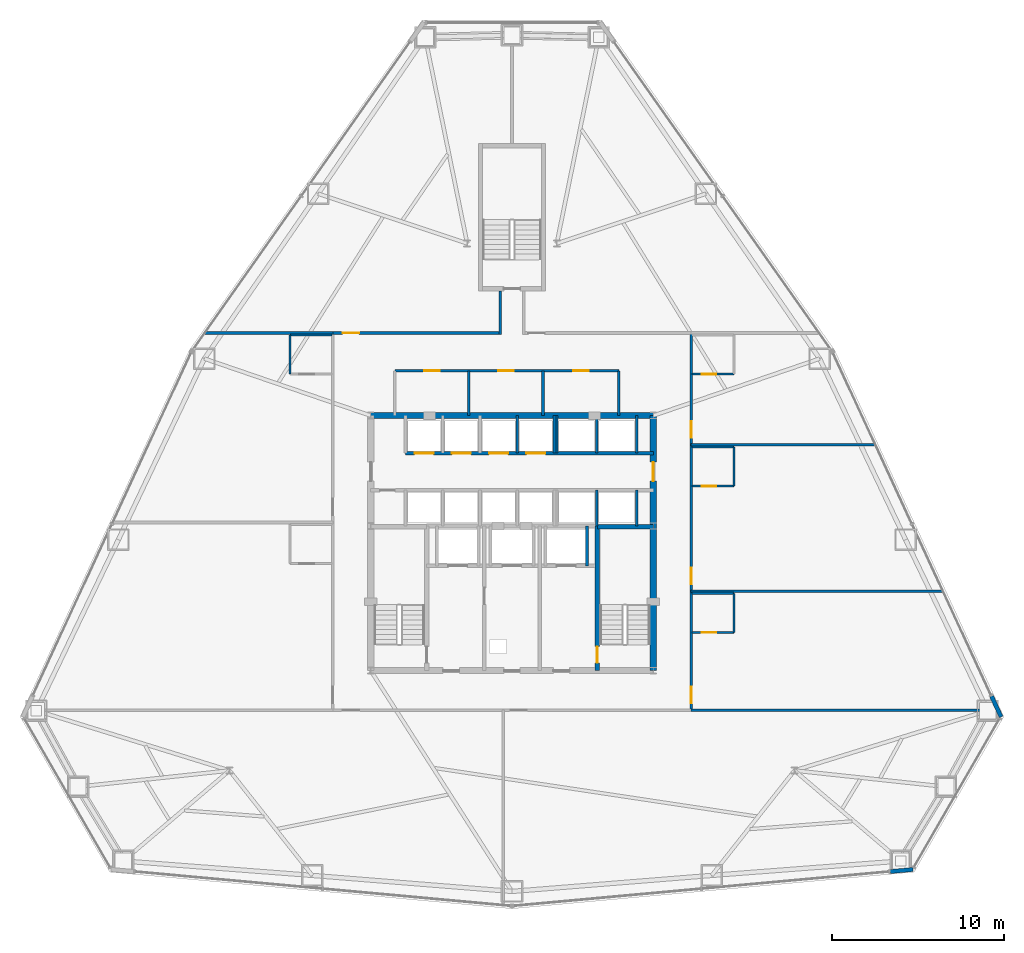
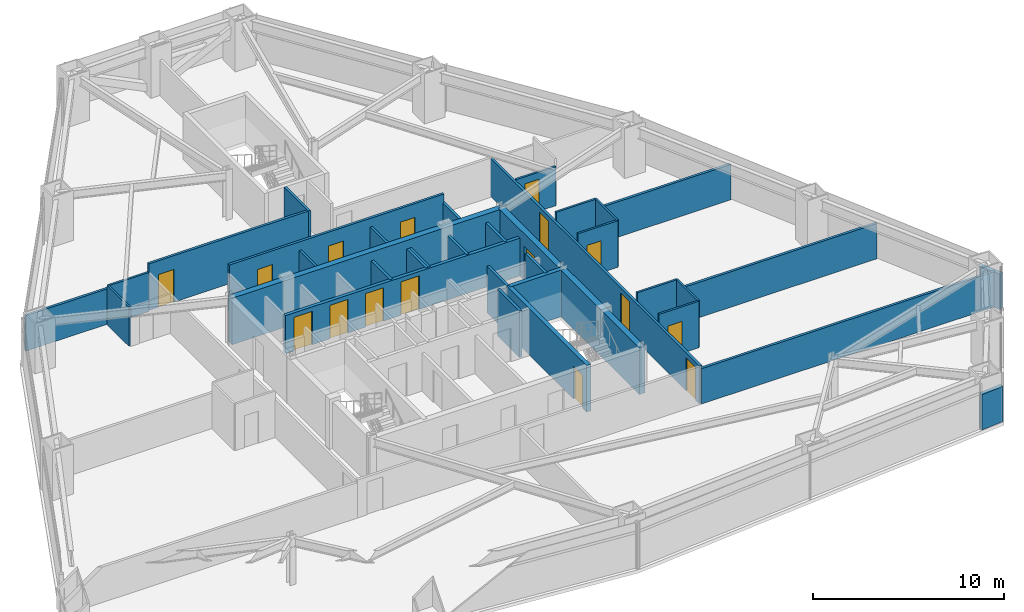
# One storey, part 10 of 12: 35 walls, 16 doors, 16 openings.
"""IFC4 building model written with IfcOpenShell, lengths in metres."""

from ifc_helpers import new_model, si_unit, direction, frame, frame_2d, origin, place, context, subcontext, project, spatial, rectangle, extrude, material, layer, layer_set, type_object, element, fill, save


model = new_model("IFC4")

# Units and contexts
model_context = context("Model", 3, precision=1e-05, world=origin(), true_north=direction((0.0, 1.0)))
body_context = subcontext(model_context, "Body", "Model", "MODEL_VIEW")
ifc_project = project(units=[si_unit("LENGTHUNIT", "METRE"), si_unit("AREAUNIT", "SQUARE_METRE"), si_unit("VOLUMEUNIT", "CUBIC_METRE"), si_unit("PLANEANGLEUNIT", "RADIAN"), si_unit("MASSUNIT", "GRAM", prefix="KILO")], contexts=[model_context])

# Site, building, storey
site_placement = place(None, origin())
site = spatial("IfcSite", under=ifc_project, at=site_placement, CompositionType="ELEMENT")
building_placement = place(site_placement, origin())
building = spatial("IfcBuilding", under=site, at=building_placement, Name="Varakhsha Concourse Tower", CompositionType="ELEMENT")
storey_placement = place(building_placement, frame((0.0, 0.0, 36.800048828125)))
storey = spatial("IfcBuildingStorey", under=building, at=storey_placement, Name="L09", CompositionType="ELEMENT", Elevation=36.800048828125)

# Wall
ifc_material_1 = material(Name="Concrete fc 65 MPa", Category="concrete")
ifc_layer_1 = layer(ifc_material_1, 0.35009765625, Name="WL-CORE-350")
ifc_layer_set_1 = layer_set([ifc_layer_1], Name="Concrete fc 65 MPa")
wall_type_1 = type_object("IfcWallType", Name="WL-CORE-350", PredefinedType="SHEAR", material=ifc_layer_set_1)
wall_1_placement = place(storey_placement, frame((31.800048828125, 31.199951171875, 0.0), z_axis=(0.0, 0.0, 1.0), x_axis=(1.0, 0.0, 0.0)))
element("IfcWall", 1, at=wall_1_placement, inside=storey, type_object=wall_type_1, Name="L09 Wall CWALL-N-L09", PredefinedType="SHEAR", context=body_context, shape_type="SweptSolid", body=[
    extrude(rectangle(XDim=16.39990234375, YDim=0.35009765625, at=frame_2d((8.199951171875, 0.0))), origin(), (0.0, 0.0, 1.0), 2.97998046875),
])

# Wall, opening, door
wall_2_placement = place(storey_placement, frame((48.199951171875, 16.39990234375, 0.0), z_axis=(0.0, 0.0, 1.0), x_axis=(0.0, 1.0, 0.0)))
wall_2 = element("IfcWall", 2, at=wall_2_placement, inside=storey, type_object=wall_type_1, Name="L09 Wall CWALL-E-L09", PredefinedType="SHEAR", context=body_context, shape_type="SweptSolid", body=[
    extrude(rectangle(XDim=14.800048828125, YDim=0.35009765625, at=frame_2d((7.39990234375, 0.0))), origin(), (0.0, 0.0, 1.0), 2.97998046875),
])
opening_1_placement = place(wall_2_placement, frame((11.0, 0.0, 0.0)))
opening_1 = element("IfcOpeningElement", 3, at=opening_1_placement, cuts=wall_2, Name="Opening DL-01", PredefinedType="OPENING", context=body_context, shape_type="SweptSolid", body=[
    extrude(rectangle(XDim=1.10009765625, YDim=2.14990234375, at=frame_2d((0.550048828125, 1.074951171875))), frame((0.0, 0.18505859375, 0.0), z_axis=(0.0, -1.0, 0.0), x_axis=(1.0, 0.0, 0.0)), (0.0, 0.0, 1.0), 0.3701171875),
])
ifc_material_2 = material(Name="Anodised Bronze Architectural Aluminium AA 6063-T6", Category="aluminium")
door_type_1 = type_object("IfcDoorType", Name="DR-LOB-1100", OperationType="NOTDEFINED", PredefinedType="DOOR", material=ifc_material_2)
door_1_placement = place(opening_1_placement, origin())
door_1 = element("IfcDoor", 4, at=door_1_placement, inside=storey, type_object=door_type_1, Name="L09 Lift Lobby East Concourse Door", OperationType="SINGLE_SWING_RIGHT", OverallHeight=2.14990234375, OverallWidth=1.10009765625, PredefinedType="DOOR", context=body_context, shape_type="SweptSolid", body=[
    extrude(rectangle(XDim=1.10009765625, YDim=2.14990234375, at=frame_2d((0.550048828125, 1.074951171875))), frame((0.0, 0.02490234375, 0.0), z_axis=(0.0, -1.0, 0.0), x_axis=(1.0, 0.0, 0.0)), (0.0, 0.0, 1.0), 0.050048828125),
])
fill(opening_1, door_1)

# Walls
ifc_material_3 = material(Name="Concrete fc 45 MPa", Category="concrete")
ifc_layer_2 = layer(ifc_material_3, 0.239990234375, Name="WL-EXT-CRN-240")
ifc_layer_set_2 = layer_set([ifc_layer_2], Name="Concrete fc 45 MPa")
wall_type_2 = type_object("IfcWallType", Name="WL-EXT-CRN-240", PredefinedType="SHEAR", material=ifc_layer_set_2)
for number, where, z_axis, x_axis, name in (
    (5, (61.955078125, 4.73388671875, 0.0), (0.0, 0.0, 1.0), (0.995872137329, 0.090767208245, 0.0), "L09 Wind-Corner Shoulder Wall F6"),
    (6, (68.39404296875, 13.710693359375, 0.0), (0.0, 0.0, 1.0), (-0.419348851808, 0.907825170662, 0.0), "L09 Wind-Corner Shoulder Wall F8"),
):
    element("IfcWall", number, at=place(storey_placement, frame(where, z_axis=z_axis, x_axis=x_axis)), inside=storey, type_object=wall_type_2, Name=name, PredefinedType="SHEAR", context=body_context, shape_type="SweptSolid", body=[
        extrude(rectangle(XDim=1.33154296875, YDim=0.239990234375, at=frame_2d((0.665771484375, 0.0))), origin(), (0.0, 0.0, 1.0), 2.262939453125),
    ])
ifc_material_4 = material(Name="Acoustic Gypsum Board Partition Assembly", Category="gypsum")
ifc_layer_3 = layer(ifc_material_4, 0.1201171875, Name="WL-PART-120")
ifc_layer_set_3 = layer_set([ifc_layer_3], Name="Acoustic Gypsum Board Partition Assembly")
wall_type_3 = type_object("IfcWallType", Name="WL-PART-120", PredefinedType="PARTITIONING", material=ifc_layer_set_3)
wall_3_placement = place(storey_placement, frame((27.110107421875, 33.610107421875, 0.0), z_axis=(0.0, 0.0, 1.0), x_axis=(0.0, 1.0, 0.0)))
element("IfcWall", 7, at=wall_3_placement, inside=storey, type_object=wall_type_3, Name="L09 Wall ENSW-W-L09-H04", PredefinedType="PARTITIONING", context=body_context, shape_type="SweptSolid", body=[
    extrude(rectangle(XDim=2.27978515625, YDim=0.1201171875, at=frame_2d((1.139892578125, 0.0))), origin(), (0.0, 0.0, 1.0), 2.512939453125),
])
wall_4_placement = place(storey_placement, frame((27.110107421875, 35.889892578125, 0.0), z_axis=(0.0, 0.0, 1.0), x_axis=(1.0, 0.0, 0.0)))
element("IfcWall", 8, at=wall_4_placement, inside=storey, type_object=wall_type_3, Name="L09 Wall ENSW-N-L09-H04", PredefinedType="PARTITIONING", context=body_context, shape_type="SweptSolid", body=[
    extrude(rectangle(XDim=2.429931640625, YDim=0.1201171875, at=frame_2d((1.21484375, 0.0))), origin(), (0.0, 0.0, 1.0), 2.512939453125),
])
wall_5_placement = place(storey_placement, frame((52.889892578125, 18.610107421875, 0.0), z_axis=(0.0, 0.0, 1.0), x_axis=(0.0, 1.0, 0.0)))
element("IfcWall", 9, at=wall_5_placement, inside=storey, type_object=wall_type_3, Name="L09 Wall ENSW-E-L09-H05", PredefinedType="PARTITIONING", context=body_context, shape_type="SweptSolid", body=[
    extrude(rectangle(XDim=2.27978515625, YDim=0.1201171875, at=frame_2d((1.139892578125, 0.0))), origin(), (0.0, 0.0, 1.0), 2.97998046875),
])

# Wall, opening, door
wall_6_placement = place(storey_placement, frame((50.4599609375, 18.610107421875, 0.0), z_axis=(0.0, 0.0, 1.0), x_axis=(1.0, 0.0, 0.0)))
wall_6 = element("IfcWall", 10, at=wall_6_placement, inside=storey, type_object=wall_type_3, Name="L09 Wall ENSW-S-L09-H05", PredefinedType="PARTITIONING", context=body_context, shape_type="SweptSolid", body=[
    extrude(rectangle(XDim=2.429931640625, YDim=0.1201171875, at=frame_2d((1.21484375, 0.0))), origin(), (0.0, 0.0, 1.0), 2.97998046875),
])
opening_2_placement = place(wall_6_placement, frame((0.550048828125, 0.0, 0.0)))
opening_2 = element("IfcOpeningElement", 11, at=opening_2_placement, cuts=wall_6, Name="Opening DI-01", PredefinedType="OPENING", context=body_context, shape_type="SweptSolid", body=[
    extrude(rectangle(XDim=0.85009765625, YDim=2.050048828125, at=frame_2d((0.425048828125, 1.02490234375))), frame((0.0, 0.070068359375, 0.0), z_axis=(0.0, -1.0, 0.0), x_axis=(1.0, 0.0, 0.0)), (0.0, 0.0, 1.0), 0.14013671875),
])
ifc_material_5 = material(Name="Architectural Walnut Acoustic Timber Door", Category="wood")
door_type_2 = type_object("IfcDoorType", Name="DR-INT-850", OperationType="NOTDEFINED", PredefinedType="DOOR", material=ifc_material_5)
door_2_placement = place(opening_2_placement, origin())
door_2 = element("IfcDoor", 12, at=door_2_placement, inside=storey, type_object=door_type_2, Name="L09 En-suite Bathroom Door L09-H05", OperationType="SINGLE_SWING_RIGHT", OverallHeight=2.050048828125, OverallWidth=0.85009765625, PredefinedType="DOOR", context=body_context, shape_type="SweptSolid", body=[
    extrude(rectangle(XDim=0.85009765625, YDim=2.050048828125, at=frame_2d((0.425048828125, 1.02490234375))), frame((0.0, 0.02490234375, 0.0), z_axis=(0.0, -1.0, 0.0), x_axis=(1.0, 0.0, 0.0)), (0.0, 0.0, 1.0), 0.050048828125),
])
fill(opening_2, door_2)

# Walls
wall_7_placement = place(storey_placement, frame((50.4599609375, 20.889892578125, 0.0), z_axis=(0.0, 0.0, 1.0), x_axis=(1.0, 0.0, 0.0)))
element("IfcWall", 13, at=wall_7_placement, inside=storey, type_object=wall_type_3, Name="L09 Wall ENSW-N-L09-H05", PredefinedType="PARTITIONING", context=body_context, shape_type="SweptSolid", body=[
    extrude(rectangle(XDim=2.429931640625, YDim=0.1201171875, at=frame_2d((1.21484375, 0.0))), origin(), (0.0, 0.0, 1.0), 2.97998046875),
])
wall_8_placement = place(storey_placement, frame((52.889892578125, 27.110107421875, 0.0), z_axis=(0.0, 0.0, 1.0), x_axis=(0.0, 1.0, 0.0)))
element("IfcWall", 14, at=wall_8_placement, inside=storey, type_object=wall_type_3, Name="L09 Wall ENSW-E-L09-H06", PredefinedType="PARTITIONING", context=body_context, shape_type="SweptSolid", body=[
    extrude(rectangle(XDim=2.27978515625, YDim=0.1201171875, at=frame_2d((1.139892578125, 0.0))), origin(), (0.0, 0.0, 1.0), 2.97998046875),
])

# Wall, opening, door
wall_9_placement = place(storey_placement, frame((50.4599609375, 27.110107421875, 0.0), z_axis=(0.0, 0.0, 1.0), x_axis=(1.0, 0.0, 0.0)))
wall_9 = element("IfcWall", 15, at=wall_9_placement, inside=storey, type_object=wall_type_3, Name="L09 Wall ENSW-S-L09-H06", PredefinedType="PARTITIONING", context=body_context, shape_type="SweptSolid", body=[
    extrude(rectangle(XDim=2.429931640625, YDim=0.1201171875, at=frame_2d((1.21484375, 0.0))), origin(), (0.0, 0.0, 1.0), 2.97998046875),
])
opening_3_placement = place(wall_9_placement, frame((0.550048828125, 0.0, 0.0)))
opening_3 = element("IfcOpeningElement", 16, at=opening_3_placement, cuts=wall_9, Name="Opening DI-01", PredefinedType="OPENING", context=body_context, shape_type="SweptSolid", body=[
    extrude(rectangle(XDim=0.85009765625, YDim=2.050048828125, at=frame_2d((0.425048828125, 1.02490234375))), frame((0.0, 0.070068359375, 0.0), z_axis=(0.0, -1.0, 0.0), x_axis=(1.0, 0.0, 0.0)), (0.0, 0.0, 1.0), 0.14013671875),
])
door_3_placement = place(opening_3_placement, origin())
door_3 = element("IfcDoor", 17, at=door_3_placement, inside=storey, type_object=door_type_2, Name="L09 En-suite Bathroom Door L09-H06", OperationType="SINGLE_SWING_RIGHT", OverallHeight=2.050048828125, OverallWidth=0.85009765625, PredefinedType="DOOR", context=body_context, shape_type="SweptSolid", body=[
    extrude(rectangle(XDim=0.85009765625, YDim=2.050048828125, at=frame_2d((0.425048828125, 1.02490234375))), frame((0.0, 0.02490234375, 0.0), z_axis=(0.0, -1.0, 0.0), x_axis=(1.0, 0.0, 0.0)), (0.0, 0.0, 1.0), 0.050048828125),
])
fill(opening_3, door_3)

# Wall
wall_10_placement = place(storey_placement, frame((50.4599609375, 29.389892578125, 0.0), z_axis=(0.0, 0.0, 1.0), x_axis=(1.0, 0.0, 0.0)))
element("IfcWall", 18, at=wall_10_placement, inside=storey, type_object=wall_type_3, Name="L09 Wall ENSW-N-L09-H06", PredefinedType="PARTITIONING", context=body_context, shape_type="SweptSolid", body=[
    extrude(rectangle(XDim=2.429931640625, YDim=0.1201171875, at=frame_2d((1.21484375, 0.0))), origin(), (0.0, 0.0, 1.0), 2.97998046875),
])

# Wall, opening, door
wall_11_placement = place(storey_placement, frame((50.4599609375, 33.610107421875, 0.0), z_axis=(0.0, 0.0, 1.0), x_axis=(1.0, 0.0, 0.0)))
wall_11 = element("IfcWall", 19, at=wall_11_placement, inside=storey, type_object=wall_type_3, Name="L09 Wall ENSW-S-L09-H07", PredefinedType="PARTITIONING", context=body_context, shape_type="SweptSolid", body=[
    extrude(rectangle(XDim=2.429931640625, YDim=0.1201171875, at=frame_2d((1.21484375, 0.0))), origin(), (0.0, 0.0, 1.0), 2.512939453125),
])
opening_4_placement = place(wall_11_placement, frame((0.550048828125, 0.0, 0.0)))
opening_4 = element("IfcOpeningElement", 20, at=opening_4_placement, cuts=wall_11, Name="Opening DI-01", PredefinedType="OPENING", context=body_context, shape_type="SweptSolid", body=[
    extrude(rectangle(XDim=0.85009765625, YDim=2.050048828125, at=frame_2d((0.425048828125, 1.02490234375))), frame((0.0, 0.070068359375, 0.0), z_axis=(0.0, -1.0, 0.0), x_axis=(1.0, 0.0, 0.0)), (0.0, 0.0, 1.0), 0.14013671875),
])
door_4_placement = place(opening_4_placement, origin())
door_4 = element("IfcDoor", 21, at=door_4_placement, inside=storey, type_object=door_type_2, Name="L09 En-suite Bathroom Door L09-H07", OperationType="SINGLE_SWING_RIGHT", OverallHeight=2.050048828125, OverallWidth=0.85009765625, PredefinedType="DOOR", context=body_context, shape_type="SweptSolid", body=[
    extrude(rectangle(XDim=0.85009765625, YDim=2.050048828125, at=frame_2d((0.425048828125, 1.02490234375))), frame((0.0, 0.02490234375, 0.0), z_axis=(0.0, -1.0, 0.0), x_axis=(1.0, 0.0, 0.0)), (0.0, 0.0, 1.0), 0.050048828125),
])
fill(opening_4, door_4)

# Wall, openings, doors
ifc_material_6 = material(Name="Fire-Rated Type X Gypsum Partition Assembly", Category="gypsum")
ifc_layer_4 = layer(ifc_material_6, 0.14990234375, Name="WL-PART-150")
ifc_layer_set_4 = layer_set([ifc_layer_4], Name="Fire-Rated Type X Gypsum Partition Assembly")
wall_type_4 = type_object("IfcWallType", Name="WL-PART-150", PredefinedType="PARTITIONING", material=ifc_layer_set_4)
wall_12_placement = place(storey_placement, frame((33.199951171875, 33.800048828125, 0.0), z_axis=(0.0, 0.0, 1.0), x_axis=(1.0, 0.0, 0.0)))
wall_12 = element("IfcWall", 22, at=wall_12_placement, inside=storey, type_object=wall_type_4, Name="L09 Wall NBOH-N-L09", PredefinedType="PARTITIONING", context=body_context, shape_type="SweptSolid", body=[
    extrude(rectangle(XDim=13.0, YDim=0.14990234375, at=frame_2d((6.5, 0.0))), origin(), (0.0, 0.0, 1.0), 2.97998046875),
])
opening_5_placement = place(wall_12_placement, frame((1.699951171875, 0.0, 0.0)))
opening_5 = element("IfcOpeningElement", 23, at=opening_5_placement, cuts=wall_12, Name="Opening DF-06", PredefinedType="OPENING", context=body_context, shape_type="SweptSolid", body=[
    extrude(rectangle(XDim=0.89990234375, YDim=2.10009765625, at=frame_2d((0.449951171875, 1.050048828125))), frame((0.0, 0.0849609375, 0.0), z_axis=(0.0, -1.0, 0.0), x_axis=(1.0, 0.0, 0.0)), (0.0, 0.0, 1.0), 0.169921875),
])
opening_6_placement = place(wall_12_placement, frame((6.0, 0.0, 0.0)))
opening_6 = element("IfcOpeningElement", 24, at=opening_6_placement, cuts=wall_12, Name="Opening DF-06", PredefinedType="OPENING", context=body_context, shape_type="SweptSolid", body=[
    extrude(rectangle(XDim=0.89990234375, YDim=2.10009765625, at=frame_2d((0.449951171875, 1.050048828125))), frame((0.0, 0.0849609375, 0.0), z_axis=(0.0, -1.0, 0.0), x_axis=(1.0, 0.0, 0.0)), (0.0, 0.0, 1.0), 0.169921875),
])
opening_7_placement = place(wall_12_placement, frame((10.35009765625, 0.0, 0.0)))
opening_7 = element("IfcOpeningElement", 25, at=opening_7_placement, cuts=wall_12, Name="Opening DF-06", PredefinedType="OPENING", context=body_context, shape_type="SweptSolid", body=[
    extrude(rectangle(XDim=0.89990234375, YDim=2.10009765625, at=frame_2d((0.449951171875, 1.050048828125))), frame((0.0, 0.0849609375, 0.0), z_axis=(0.0, -1.0, 0.0), x_axis=(1.0, 0.0, 0.0)), (0.0, 0.0, 1.0), 0.169921875),
])
ifc_material_7 = material(Name="Hollow Galvanised Steel Fire Door Assembly", Category="steel")
door_type_3 = type_object("IfcDoorType", Name="DR-FD60-900", OperationType="NOTDEFINED", PredefinedType="DOOR", material=ifc_material_7)
door_5_placement = place(opening_5_placement, origin())
door_5 = element("IfcDoor", 26, at=door_5_placement, inside=storey, type_object=door_type_3, Name="L09 Housekeeping and Linen Room Door", OperationType="SINGLE_SWING_LEFT", OverallHeight=2.10009765625, OverallWidth=0.89990234375, PredefinedType="DOOR", context=body_context, shape_type="SweptSolid", body=[
    extrude(rectangle(XDim=0.89990234375, YDim=2.10009765625, at=frame_2d((0.449951171875, 1.050048828125))), frame((0.0, 0.02490234375, 0.0), z_axis=(0.0, -1.0, 0.0), x_axis=(1.0, 0.0, 0.0)), (0.0, 0.0, 1.0), 0.050048828125),
])
fill(opening_5, door_5)
door_6_placement = place(opening_6_placement, origin())
door_6 = element("IfcDoor", 27, at=door_6_placement, inside=storey, type_object=door_type_3, Name="L09 Accessible WC Door", OperationType="SINGLE_SWING_RIGHT", OverallHeight=2.10009765625, OverallWidth=0.89990234375, PredefinedType="DOOR", context=body_context, shape_type="SweptSolid", body=[
    extrude(rectangle(XDim=0.89990234375, YDim=2.10009765625, at=frame_2d((0.449951171875, 1.050048828125))), frame((0.0, 0.02490234375, 0.0), z_axis=(0.0, -1.0, 0.0), x_axis=(1.0, 0.0, 0.0)), (0.0, 0.0, 1.0), 0.050048828125),
])
fill(opening_6, door_6)
door_7_placement = place(opening_7_placement, origin())
door_7 = element("IfcDoor", 28, at=door_7_placement, inside=storey, type_object=door_type_3, Name="L09 Staff Restroom WC Door", OperationType="SINGLE_SWING_LEFT", OverallHeight=2.10009765625, OverallWidth=0.89990234375, PredefinedType="DOOR", context=body_context, shape_type="SweptSolid", body=[
    extrude(rectangle(XDim=0.89990234375, YDim=2.10009765625, at=frame_2d((0.449951171875, 1.050048828125))), frame((0.0, 0.02490234375, 0.0), z_axis=(0.0, -1.0, 0.0), x_axis=(1.0, 0.0, 0.0)), (0.0, 0.0, 1.0), 0.050048828125),
])
fill(opening_7, door_7)

# Walls
for number, where, z_axis, x_axis, name in (
    (29, (46.199951171875, 31.199951171875, 0.0), (0.0, 0.0, 1.0), (0.0, 1.0, 0.0), "L09 Wall NBOH-E-L09"),
    (30, (37.5, 31.199951171875, 0.0), (0.0, 0.0, 1.0), (0.0, 1.0, 0.0), "L09 Wall NBOH-D1-L09"),
    (31, (41.800048828125, 31.199951171875, 0.0), (0.0, 0.0, 1.0), (0.0, 1.0, 0.0), "L09 Wall NBOH-D2-L09"),
):
    element("IfcWall", number, at=place(storey_placement, frame(where, z_axis=z_axis, x_axis=x_axis)), inside=storey, type_object=wall_type_4, Name=name, PredefinedType="PARTITIONING", context=body_context, shape_type="SweptSolid", body=[
        extrude(rectangle(XDim=2.60009765625, YDim=0.14990234375, at=frame_2d((1.300048828125, 0.0))), origin(), (0.0, 0.0, 1.0), 2.430908203125),
    ])

# Wall, opening, door
wall_13_placement = place(storey_placement, frame((29.60009765625, 36.0, 0.0), z_axis=(0.0, 0.0, 1.0), x_axis=(1.0, 0.0, 0.0)))
wall_13 = element("IfcWall", 32, at=wall_13_placement, inside=storey, type_object=wall_type_4, Name="L09 Wall CRW-N-L09", PredefinedType="PARTITIONING", context=body_context, shape_type="SweptSolid", body=[
    extrude(rectangle(XDim=9.64990234375, YDim=0.14990234375, at=frame_2d((4.824951171875, 0.0))), origin(), (0.0, 0.0, 1.0), 2.97998046875),
])
opening_8_placement = place(wall_13_placement, frame((0.570068359375, 0.0, 0.0)))
opening_8 = element("IfcOpeningElement", 33, at=opening_8_placement, cuts=wall_13, Name="Opening DF-05", PredefinedType="OPENING", context=body_context, shape_type="SweptSolid", body=[
    extrude(rectangle(XDim=0.949951171875, YDim=2.10009765625, at=frame_2d((0.47509765625, 1.050048828125))), frame((0.0, 0.0849609375, 0.0), z_axis=(0.0, -1.0, 0.0), x_axis=(1.0, 0.0, 0.0)), (0.0, 0.0, 1.0), 0.169921875),
])
door_type_4 = type_object("IfcDoorType", Name="DR-FD60-950", OperationType="NOTDEFINED", PredefinedType="DOOR", material=ifc_material_7)
door_8_placement = place(opening_8_placement, origin())
door_8 = element("IfcDoor", 34, at=door_8_placement, inside=storey, type_object=door_type_4, Name="L09 Hotel Executive Salon L09-H08 Door", OperationType="SINGLE_SWING_RIGHT", OverallHeight=2.10009765625, OverallWidth=0.949951171875, PredefinedType="DOOR", context=body_context, shape_type="SweptSolid", body=[
    extrude(rectangle(XDim=0.949951171875, YDim=2.10009765625, at=frame_2d((0.47509765625, 1.050048828125))), frame((0.0, 0.02490234375, 0.0), z_axis=(0.0, -1.0, 0.0), x_axis=(1.0, 0.0, 0.0)), (0.0, 0.0, 1.0), 0.050048828125),
])
fill(opening_8, door_8)

# Wall, openings, doors
wall_14_placement = place(storey_placement, frame((50.39990234375, 14.10009765625, 0.0), z_axis=(0.0, 0.0, 1.0), x_axis=(0.0, 1.0, 0.0)))
wall_14 = element("IfcWall", 35, at=wall_14_placement, inside=storey, type_object=wall_type_4, Name="L09 Wall CRW-E-L09", PredefinedType="PARTITIONING", context=body_context, shape_type="SweptSolid", body=[
    extrude(rectangle(XDim=21.89990234375, YDim=0.14990234375, at=frame_2d((10.949951171875, 0.0))), origin(), (0.0, 0.0, 1.0), 2.430908203125),
])
opening_9_placement = place(wall_14_placement, frame((0.419921875, 0.0, 0.0)))
opening_9 = element("IfcOpeningElement", 36, at=opening_9_placement, cuts=wall_14, Name="Opening DF-05", PredefinedType="OPENING", context=body_context, shape_type="SweptSolid", body=[
    extrude(rectangle(XDim=0.949951171875, YDim=2.10009765625, at=frame_2d((0.47509765625, 1.050048828125))), frame((0.0, 0.0849609375, 0.0), z_axis=(0.0, -1.0, 0.0), x_axis=(1.0, 0.0, 0.0)), (0.0, 0.0, 1.0), 0.169921875),
])
opening_10_placement = place(wall_14_placement, frame((7.320068359375, 0.0, 0.0)))
opening_10 = element("IfcOpeningElement", 37, at=opening_10_placement, cuts=wall_14, Name="Opening DF-05", PredefinedType="OPENING", context=body_context, shape_type="SweptSolid", body=[
    extrude(rectangle(XDim=0.949951171875, YDim=2.10009765625, at=frame_2d((0.47509765625, 1.050048828125))), frame((0.0, 0.0849609375, 0.0), z_axis=(0.0, -1.0, 0.0), x_axis=(1.0, 0.0, 0.0)), (0.0, 0.0, 1.0), 0.169921875),
])
opening_11_placement = place(wall_14_placement, frame((15.820068359375, 0.0, 0.0)))
opening_11 = element("IfcOpeningElement", 38, at=opening_11_placement, cuts=wall_14, Name="Opening DF-05", PredefinedType="OPENING", context=body_context, shape_type="SweptSolid", body=[
    extrude(rectangle(XDim=0.949951171875, YDim=2.10009765625, at=frame_2d((0.47509765625, 1.050048828125))), frame((0.0, 0.0849609375, 0.0), z_axis=(0.0, -1.0, 0.0), x_axis=(1.0, 0.0, 0.0)), (0.0, 0.0, 1.0), 0.169921875),
])
door_9_placement = place(opening_9_placement, origin())
door_9 = element("IfcDoor", 39, at=door_9_placement, inside=storey, type_object=door_type_4, Name="L09 Hotel Corner Suite L09-H05 Entry Door", OperationType="SINGLE_SWING_LEFT", OverallHeight=2.10009765625, OverallWidth=0.949951171875, PredefinedType="DOOR", context=body_context, shape_type="SweptSolid", body=[
    extrude(rectangle(XDim=0.949951171875, YDim=2.10009765625, at=frame_2d((0.47509765625, 1.050048828125))), frame((0.0, 0.02490234375, 0.0), z_axis=(0.0, -1.0, 0.0), x_axis=(1.0, 0.0, 0.0)), (0.0, 0.0, 1.0), 0.050048828125),
])
fill(opening_9, door_9)
door_10_placement = place(opening_10_placement, origin())
door_10 = element("IfcDoor", 40, at=door_10_placement, inside=storey, type_object=door_type_4, Name="L09 Hotel Corner Suite L09-H06 Entry Door", OperationType="SINGLE_SWING_RIGHT", OverallHeight=2.10009765625, OverallWidth=0.949951171875, PredefinedType="DOOR", context=body_context, shape_type="SweptSolid", body=[
    extrude(rectangle(XDim=0.949951171875, YDim=2.10009765625, at=frame_2d((0.47509765625, 1.050048828125))), frame((0.0, 0.02490234375, 0.0), z_axis=(0.0, -1.0, 0.0), x_axis=(1.0, 0.0, 0.0)), (0.0, 0.0, 1.0), 0.050048828125),
])
fill(opening_10, door_10)
door_11_placement = place(opening_11_placement, origin())
door_11 = element("IfcDoor", 41, at=door_11_placement, inside=storey, type_object=door_type_4, Name="L09 Hotel Corner Suite L09-H07 Entry Door", OperationType="SINGLE_SWING_LEFT", OverallHeight=2.10009765625, OverallWidth=0.949951171875, PredefinedType="DOOR", context=body_context, shape_type="SweptSolid", body=[
    extrude(rectangle(XDim=0.949951171875, YDim=2.10009765625, at=frame_2d((0.47509765625, 1.050048828125))), frame((0.0, 0.02490234375, 0.0), z_axis=(0.0, -1.0, 0.0), x_axis=(1.0, 0.0, 0.0)), (0.0, 0.0, 1.0), 0.050048828125),
])
fill(opening_11, door_11)

# Walls
wall_15_placement = place(storey_placement, frame((22.165771484375, 36.0, 0.0), z_axis=(0.0, 0.0, 1.0), x_axis=(1.0, 0.0, 0.0)))
element("IfcWall", 42, at=wall_15_placement, inside=storey, type_object=wall_type_4, Name="L09 Wall HDIV-WBN-L09", PredefinedType="PARTITIONING", context=body_context, shape_type="SweptSolid", body=[
    extrude(rectangle(XDim=7.434326171875, YDim=0.14990234375, at=frame_2d((3.71728515625, 0.0))), origin(), (0.0, 0.0, 1.0), 2.26806640625),
])
wall_16_placement = place(storey_placement, frame((50.39990234375, 14.10009765625, 0.0), z_axis=(0.0, 0.0, 1.0), x_axis=(1.0, 0.0, 0.0)))
element("IfcWall", 43, at=wall_16_placement, inside=storey, type_object=wall_type_4, Name="L09 Wall HDIV-EB0-L09", PredefinedType="PARTITIONING", context=body_context, shape_type="SweptSolid", body=[
    extrude(rectangle(XDim=17.808837890625, YDim=0.14990234375, at=frame_2d((8.904296875, 0.0))), origin(), (0.0, 0.0, 1.0), 2.26806640625),
])
wall_17_placement = place(storey_placement, frame((50.39990234375, 21.0, 0.0), z_axis=(0.0, 0.0, 1.0), x_axis=(1.0, 0.0, 0.0)))
element("IfcWall", 44, at=wall_17_placement, inside=storey, type_object=wall_type_4, Name="L09 Wall HDIV-E1-L09", PredefinedType="PARTITIONING", context=body_context, shape_type="SweptSolid", body=[
    extrude(rectangle(XDim=14.622314453125, YDim=0.14990234375, at=frame_2d((7.31103515625, 0.0))), origin(), (0.0, 0.0, 1.0), 2.26806640625),
])
wall_18_placement = place(storey_placement, frame((50.39990234375, 29.5, 0.0), z_axis=(0.0, 0.0, 1.0), x_axis=(1.0, 0.0, 0.0)))
element("IfcWall", 45, at=wall_18_placement, inside=storey, type_object=wall_type_4, Name="L09 Wall HDIV-E2-L09", PredefinedType="PARTITIONING", context=body_context, shape_type="SweptSolid", body=[
    extrude(rectangle(XDim=10.69677734375, YDim=0.14990234375, at=frame_2d((5.348388671875, 0.0))), origin(), (0.0, 0.0, 1.0), 2.26806640625),
])
wall_19_placement = place(storey_placement, frame((39.324951171875, 35.925048828125, 0.0), z_axis=(0.0, 0.0, 1.0), x_axis=(0.0, 1.0, 0.0)))
element("IfcWall", 46, at=wall_19_placement, inside=storey, type_object=wall_type_4, Name="L09 Wall STUB-W-L09", PredefinedType="PARTITIONING", context=body_context, shape_type="SweptSolid", body=[
    extrude(rectangle(XDim=2.52490234375, YDim=0.14990234375, at=frame_2d((1.262451171875, 0.0))), origin(), (0.0, 0.0, 1.0), 2.97998046875),
])
ifc_layer_5 = layer(ifc_material_6, 0.199951171875, Name="WL-SHAFT-220")
ifc_layer_set_5 = layer_set([ifc_layer_5], Name="Fire-Rated Type X Gypsum Partition Assembly")
wall_type_5 = type_object("IfcWallType", Name="WL-SHAFT-220", PredefinedType="SOLIDWALL", material=ifc_layer_set_5)
wall_20_placement = place(storey_placement, frame((44.35009765625, 22.47998046875, 0.0), z_axis=(0.0, 0.0, 1.0), x_axis=(0.0, 1.0, 0.0)))
element("IfcWall", 47, at=wall_20_placement, inside=storey, type_object=wall_type_5, Name="L09 Wall SHW-FFL-2-E-L09", PredefinedType="SOLIDWALL", context=body_context, shape_type="SweptSolid", body=[
    extrude(rectangle(XDim=2.320068359375, YDim=0.159912109375, at=frame_2d((1.16015625, 0.0))), origin(), (0.0, 0.0, 1.0), 2.97998046875),
])

# Wall, openings, doors
wall_21_placement = place(storey_placement, frame((33.820068359375, 29.02001953125, 0.0), z_axis=(0.0, 0.0, 1.0), x_axis=(1.0, 0.0, 0.0)))
wall_21 = element("IfcWall", 48, at=wall_21_placement, inside=storey, type_object=wall_type_5, Name="L09 Wall PLW-N-L09", PredefinedType="SOLIDWALL", context=body_context, shape_type="SweptSolid", body=[
    extrude(rectangle(XDim=14.3798828125, YDim=0.199951171875, at=frame_2d((7.18994140625, 0.0))), origin(), (0.0, 0.0, 1.0), 2.430908203125),
])
opening_12_placement = place(wall_21_placement, frame((0.530029296875, 0.0, 0.0)))
opening_12 = element("IfcOpeningElement", 49, at=opening_12_placement, cuts=wall_21, Name="Opening LD-LF-P01", PredefinedType="OPENING", context=body_context, shape_type="SweptSolid", body=[
    extrude(rectangle(XDim=1.10009765625, YDim=2.14990234375, at=frame_2d((0.550048828125, 1.074951171875))), frame((0.0, 0.10986328125, 0.0), z_axis=(0.0, -1.0, 0.0), x_axis=(1.0, 0.0, 0.0)), (0.0, 0.0, 1.0), 0.219970703125),
])
opening_13_placement = place(wall_21_placement, frame((2.68994140625, 0.0, 0.0)))
opening_13 = element("IfcOpeningElement", 50, at=opening_13_placement, cuts=wall_21, Name="Opening LD-LF-P02", PredefinedType="OPENING", context=body_context, shape_type="SweptSolid", body=[
    extrude(rectangle(XDim=1.10009765625, YDim=2.14990234375, at=frame_2d((0.550048828125, 1.074951171875))), frame((0.0, 0.10986328125, 0.0), z_axis=(0.0, -1.0, 0.0), x_axis=(1.0, 0.0, 0.0)), (0.0, 0.0, 1.0), 0.219970703125),
])
opening_14_placement = place(wall_21_placement, frame((4.85009765625, 0.0, 0.0)))
opening_14 = element("IfcOpeningElement", 51, at=opening_14_placement, cuts=wall_21, Name="Opening LD-LF-P03", PredefinedType="OPENING", context=body_context, shape_type="SweptSolid", body=[
    extrude(rectangle(XDim=1.10009765625, YDim=2.14990234375, at=frame_2d((0.550048828125, 1.074951171875))), frame((0.0, 0.10986328125, 0.0), z_axis=(0.0, -1.0, 0.0), x_axis=(1.0, 0.0, 0.0)), (0.0, 0.0, 1.0), 0.219970703125),
])
opening_15_placement = place(wall_21_placement, frame((7.010009765625, 0.0, 0.0)))
opening_15 = element("IfcOpeningElement", 52, at=opening_15_placement, cuts=wall_21, Name="Opening LD-LF-P04", PredefinedType="OPENING", context=body_context, shape_type="SweptSolid", body=[
    extrude(rectangle(XDim=1.10009765625, YDim=2.14990234375, at=frame_2d((0.550048828125, 1.074951171875))), frame((0.0, 0.10986328125, 0.0), z_axis=(0.0, -1.0, 0.0), x_axis=(1.0, 0.0, 0.0)), (0.0, 0.0, 1.0), 0.219970703125),
])
ifc_material_8 = material(Name="Brushed Austenitic Stainless Steel AISI 316", Category="steel")
door_type_5 = type_object("IfcDoorType", Name="DR-LD-1100", OperationType="DOUBLE_DOOR_SLIDING", PredefinedType="DOOR", material=ifc_material_8)
door_12_placement = place(opening_12_placement, origin())
door_12 = element("IfcDoor", 53, at=door_12_placement, inside=storey, type_object=door_type_5, Name="Lift Landing Door LF-P01 L09", OperationType="DOUBLE_DOOR_SLIDING", OverallHeight=2.14990234375, OverallWidth=1.10009765625, PredefinedType="DOOR", context=body_context, shape_type="SweptSolid", body=[
    extrude(rectangle(XDim=1.10009765625, YDim=2.14990234375, at=frame_2d((0.550048828125, 1.074951171875))), frame((0.0, 0.02490234375, 0.0), z_axis=(0.0, -1.0, 0.0), x_axis=(1.0, 0.0, 0.0)), (0.0, 0.0, 1.0), 0.050048828125),
])
fill(opening_12, door_12)
door_13_placement = place(opening_13_placement, origin())
door_13 = element("IfcDoor", 54, at=door_13_placement, inside=storey, type_object=door_type_5, Name="Lift Landing Door LF-P02 L09", OperationType="DOUBLE_DOOR_SLIDING", OverallHeight=2.14990234375, OverallWidth=1.10009765625, PredefinedType="DOOR", context=body_context, shape_type="SweptSolid", body=[
    extrude(rectangle(XDim=1.10009765625, YDim=2.14990234375, at=frame_2d((0.550048828125, 1.074951171875))), frame((0.0, 0.02490234375, 0.0), z_axis=(0.0, -1.0, 0.0), x_axis=(1.0, 0.0, 0.0)), (0.0, 0.0, 1.0), 0.050048828125),
])
fill(opening_13, door_13)
door_14_placement = place(opening_14_placement, origin())
door_14 = element("IfcDoor", 55, at=door_14_placement, inside=storey, type_object=door_type_5, Name="Lift Landing Door LF-P03 L09", OperationType="DOUBLE_DOOR_SLIDING", OverallHeight=2.14990234375, OverallWidth=1.10009765625, PredefinedType="DOOR", context=body_context, shape_type="SweptSolid", body=[
    extrude(rectangle(XDim=1.10009765625, YDim=2.14990234375, at=frame_2d((0.550048828125, 1.074951171875))), frame((0.0, 0.02490234375, 0.0), z_axis=(0.0, -1.0, 0.0), x_axis=(1.0, 0.0, 0.0)), (0.0, 0.0, 1.0), 0.050048828125),
])
fill(opening_14, door_14)
door_15_placement = place(opening_15_placement, origin())
door_15 = element("IfcDoor", 56, at=door_15_placement, inside=storey, type_object=door_type_5, Name="Lift Landing Door LF-P04 L09", OperationType="DOUBLE_DOOR_SLIDING", OverallHeight=2.14990234375, OverallWidth=1.10009765625, PredefinedType="DOOR", context=body_context, shape_type="SweptSolid", body=[
    extrude(rectangle(XDim=1.10009765625, YDim=2.14990234375, at=frame_2d((0.550048828125, 1.074951171875))), frame((0.0, 0.02490234375, 0.0), z_axis=(0.0, -1.0, 0.0), x_axis=(1.0, 0.0, 0.0)), (0.0, 0.0, 1.0), 0.050048828125),
])
fill(opening_15, door_15)

# Walls
for number, where, z_axis, x_axis, name in (
    (57, (40.300048828125, 29.02001953125, 0.0), (0.0, 0.0, 1.0), (0.0, 1.0, 0.0), "L09 Wall SHW-LF-P03-E-L09"),
    (58, (42.4599609375, 29.02001953125, 0.0), (0.0, 0.0, 1.0), (0.0, 1.0, 0.0), "L09 Wall SHW-LF-P04-E-L09"),
    (59, (42.60009765625, 29.02001953125, 0.0), (0.0, 0.0, 1.0), (0.0, 1.0, 0.0), "L09 Wall SHW-LF-P09-W-L09"),
    (60, (44.919921875, 29.02001953125, 0.0), (0.0, 0.0, 1.0), (0.0, 1.0, 0.0), "L09 Wall SHW-LF-P09-E-L09"),
    (61, (47.239990234375, 29.02001953125, 0.0), (0.0, 0.0, 1.0), (0.0, 1.0, 0.0), "L09 Wall SHW-LF-P10-E-L09"),
):
    element("IfcWall", number, at=place(storey_placement, frame(where, z_axis=z_axis, x_axis=x_axis)), inside=storey, type_object=wall_type_5, Name=name, PredefinedType="SOLIDWALL", context=body_context, shape_type="SweptSolid", body=[
        extrude(rectangle(XDim=2.179931640625, YDim=0.159912109375, at=frame_2d((1.08984375, 0.0))), origin(), (0.0, 0.0, 1.0), 2.430908203125),
    ])
for number, where, z_axis, x_axis, name in (
    (62, (44.919921875, 24.800048828125, 0.0), (0.0, 0.0, 1.0), (0.0, 1.0, 0.0), "L09 Wall SHW-LF-P11-E-L09"),
    (63, (47.239990234375, 24.800048828125, 0.0), (0.0, 0.0, 1.0), (0.0, 1.0, 0.0), "L09 Wall SHW-LF-P12-E-L09"),
):
    element("IfcWall", number, at=place(storey_placement, frame(where, z_axis=z_axis, x_axis=x_axis)), inside=storey, type_object=wall_type_5, Name=name, PredefinedType="SOLIDWALL", context=body_context, shape_type="SweptSolid", body=[
        extrude(rectangle(XDim=2.079833984375, YDim=0.159912109375, at=frame_2d((1.0400390625, 0.0))), origin(), (0.0, 0.0, 1.0), 2.97998046875),
    ])

# Wall, opening, door
ifc_layer_6 = layer(ifc_material_3, 0.25, Name="WL-STAIR-250")
ifc_layer_set_6 = layer_set([ifc_layer_6], Name="Concrete fc 45 MPa")
wall_type_6 = type_object("IfcWallType", Name="WL-STAIR-250", PredefinedType="SHEAR", material=ifc_layer_set_6)
wall_22_placement = place(storey_placement, frame((44.955078125, 16.39990234375, 0.0), z_axis=(0.0, 0.0, 1.0), x_axis=(0.0, 1.0, 0.0)))
wall_22 = element("IfcWall", 64, at=wall_22_placement, inside=storey, type_object=wall_type_6, Name="L09 Wall SWALL-ST2-W-L09", PredefinedType="SHEAR", context=body_context, shape_type="SweptSolid", body=[
    extrude(rectangle(XDim=8.400146484375, YDim=0.25, at=frame_2d((4.2001953125, 0.0))), origin(), (0.0, 0.0, 1.0), 2.97998046875),
])
opening_16_placement = place(wall_22_placement, frame((0.449951171875, 0.0, 0.0)))
opening_16 = element("IfcOpeningElement", 65, at=opening_16_placement, cuts=wall_22, Name="Opening DF-03", PredefinedType="OPENING", context=body_context, shape_type="SweptSolid", body=[
    extrude(rectangle(XDim=0.949951171875, YDim=2.10009765625, at=frame_2d((0.47509765625, 1.050048828125))), frame((0.0, 0.135009765625, 0.0), z_axis=(0.0, -1.0, 0.0), x_axis=(1.0, 0.0, 0.0)), (0.0, 0.0, 1.0), 0.27001953125),
])
door_type_6 = type_object("IfcDoorType", Name="DR-FD90-950", OperationType="NOTDEFINED", PredefinedType="DOOR", material=ifc_material_7)
door_16_placement = place(opening_16_placement, origin())
door_16 = element("IfcDoor", 66, at=door_16_placement, inside=storey, type_object=door_type_6, Name="L09 Stair ST2 Fire Door", OperationType="SINGLE_SWING_RIGHT", OverallHeight=2.10009765625, OverallWidth=0.949951171875, PredefinedType="DOOR", context=body_context, shape_type="SweptSolid", body=[
    extrude(rectangle(XDim=0.949951171875, YDim=2.10009765625, at=frame_2d((0.47509765625, 1.050048828125))), frame((0.0, 0.02490234375, 0.0), z_axis=(0.0, -1.0, 0.0), x_axis=(1.0, 0.0, 0.0)), (0.0, 0.0, 1.0), 0.050048828125),
])
fill(opening_16, door_16)

# Wall
wall_23_placement = place(storey_placement, frame((44.955078125, 24.7548828125, 0.0), z_axis=(0.0, 0.0, 1.0), x_axis=(1.0, 0.0, 0.0)))
element("IfcWall", 67, at=wall_23_placement, inside=storey, type_object=wall_type_6, Name="L09 Wall SWALL-ST2-N-L09", PredefinedType="SHEAR", context=body_context, shape_type="SweptSolid", body=[
    extrude(rectangle(XDim=3.244873046875, YDim=0.25, at=frame_2d((1.62255859375, 0.0))), origin(), (0.0, 0.0, 1.0), 2.97998046875),
])

save(model, "model.ifc")
